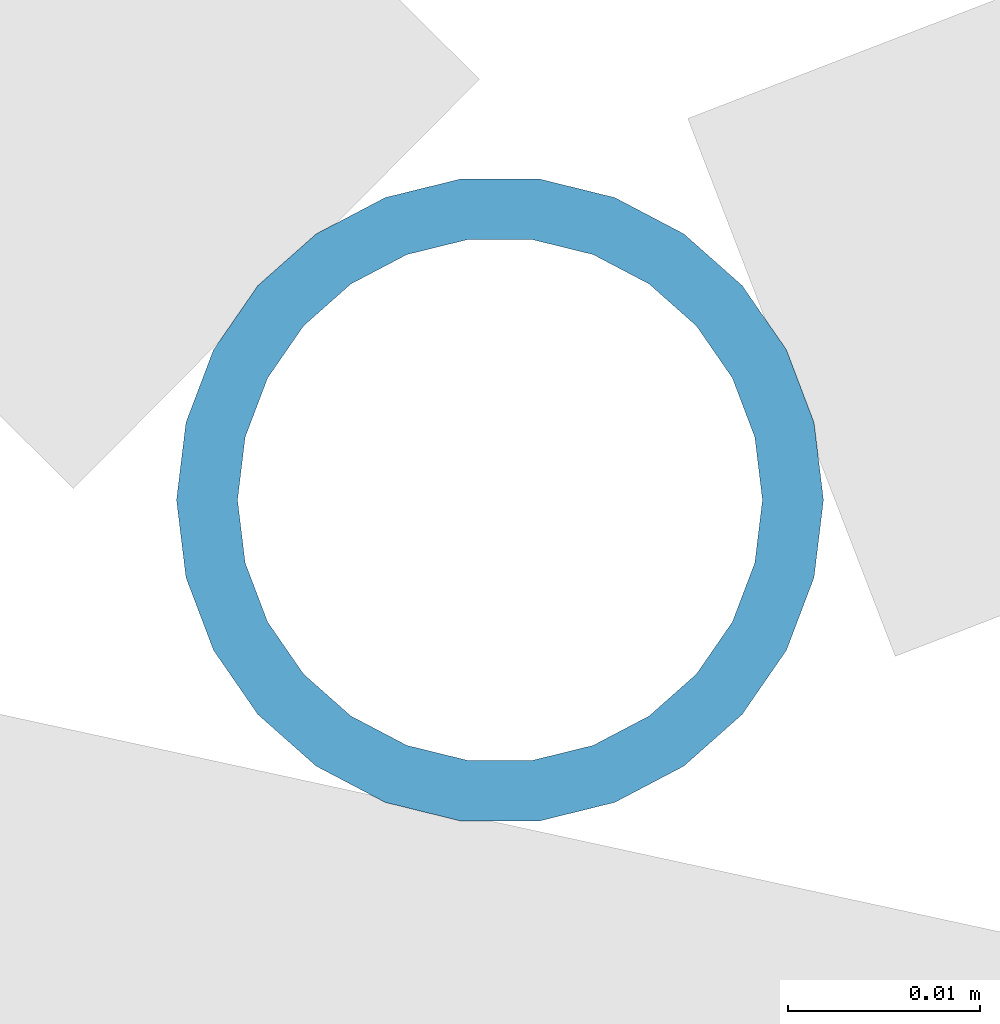
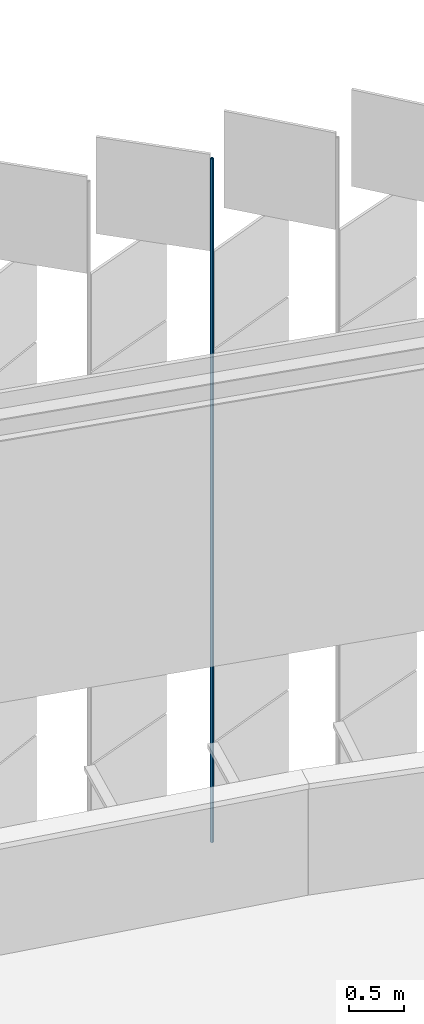
# One storey, part 403 of 483: 1 discrete accessory.
"""IFC4 building model written with IfcOpenShell, lengths in metres."""

import ifcopenshell
import ifcopenshell.guid

model = None  # the IFC model being written
_history = None  # IfcOwnerHistory: only IFC2X3 demands one
_inside = {}  # id of a spatial element -> (the spatial element, [elements in it])
_under = {}  # id of a project, library or spatial element -> (it, [spatial elements below it])
_declared = {}  # id of a project -> (the project, [libraries it declares])
_typed = {}  # id of a type object -> (the type object, [elements of that type])
_made_of = {}  # id of a material, layer set ... -> (it, [elements and type objects made of it])


def new_model(schema):
    """Start an empty IFC model of exactly this schema.

    Asked for "IFC4X3", IfcOpenShell would pick the latest addendum, in which some entities
    have other attributes; the version numbers below select the first issue.
    IFC2X3 requires an IfcOwnerHistory on every rooted entity: one is made here for all.
    """
    global model, _history
    if schema == "IFC4X3":
        model = ifcopenshell.file(schema_version=(4, 3, 0, 0))
    else:
        model = ifcopenshell.file(schema=schema)
    _inside.clear()
    _under.clear()
    _declared.clear()
    _typed.clear()
    _made_of.clear()
    _history = None
    if model.schema == "IFC2X3":
        org = make("IfcOrganization", Name="unknown")
        user = make(
            "IfcPersonAndOrganization",
            ThePerson=make("IfcPerson", FamilyName="unknown"),
            TheOrganization=org,
        )
        app = make(
            "IfcApplication",
            ApplicationDeveloper=org,
            Version="unknown",
            ApplicationFullName="unknown",
            ApplicationIdentifier="unknown",
        )
        _history = make(
            "IfcOwnerHistory",
            OwningUser=user,
            OwningApplication=app,
            ChangeAction="ADDED",
            CreationDate=0,
        )
    return model


def make(cls, **values):
    """One entity of the class cls with the attributes given. An attribute that is None is left unset."""
    return model.create_entity(
        cls, **{name: value for name, value in values.items() if value is not None}
    )


def rooted(cls, **values):
    """An entity with a GlobalId (a new one), such as an element, a storey or a relation."""
    return make(cls, GlobalId=ifcopenshell.guid.new(), OwnerHistory=_history, **values)


def si_unit(unit_type, name, prefix=None):
    """IfcSIUnit, for example si_unit("LENGTHUNIT", "METRE", prefix="MILLI")."""
    return make("IfcSIUnit", UnitType=unit_type, Prefix=prefix, Name=name)


def assignment(units):
    """IfcUnitAssignment: the units of a project."""
    return None if units is None else make("IfcUnitAssignment", Units=units)


def point(xyz):
    """IfcCartesianPoint."""
    return None if xyz is None else make("IfcCartesianPoint", Coordinates=xyz)


def direction(xyz):
    """IfcDirection."""
    return None if xyz is None else make("IfcDirection", DirectionRatios=xyz)


def frame(location, z_axis=None, x_axis=None):
    """IfcAxis2Placement3D, a coordinate frame: its origin and axes. An axis left out is left unset."""
    return make(
        "IfcAxis2Placement3D",
        Location=point(location),
        Axis=direction(z_axis),
        RefDirection=direction(x_axis),
    )


def frame_2d(location, x_axis=None):
    """IfcAxis2Placement2D, a coordinate frame in the plane: its origin and x axis."""
    return make(
        "IfcAxis2Placement2D", Location=point(location), RefDirection=direction(x_axis)
    )


def origin():
    """The frame at (0, 0, 0) with its axes left unset."""
    return frame((0.0, 0.0, 0.0))


def origin_2d():
    """The frame at (0, 0) in the plane with its x axis left unset."""
    return frame_2d((0.0, 0.0))


def place(relative_to, where):
    """IfcLocalPlacement: puts the frame where relative to a parent placement (None: the world)."""
    return make(
        "IfcLocalPlacement", PlacementRelTo=relative_to, RelativePlacement=where
    )


def context(
    kind, dimensions, precision=None, world=None, true_north=None, identifier=None
):
    """IfcGeometricRepresentationContext, for example the 3D "Model" context."""
    return make(
        "IfcGeometricRepresentationContext",
        ContextIdentifier=identifier,
        ContextType=kind,
        CoordinateSpaceDimension=dimensions,
        Precision=precision,
        WorldCoordinateSystem=world,
        TrueNorth=true_north,
    )


def subcontext(parent, identifier, kind, view, scale=None):
    """IfcGeometricRepresentationSubContext, for example "Body" below "Model"."""
    return make(
        "IfcGeometricRepresentationSubContext",
        ContextIdentifier=identifier,
        ContextType=kind,
        ParentContext=parent,
        TargetScale=scale,
        TargetView=view,
    )


def project(units=None, contexts=None):
    """IfcProject with its units and contexts."""
    return rooted(
        "IfcProject",
        Name="project",
        RepresentationContexts=contexts,
        UnitsInContext=assignment(units),
    )


def spatial(cls, under=None, at=None, **own):
    """A site, building, storey or space (cls), placed at a placement, below another one or the project."""
    s = rooted(cls, ObjectPlacement=at, **own)
    if under is not None:
        _under.setdefault(under.id(), (under, []))[1].append(s)
    return s


def profile(cls, at=None, kind="AREA", **sizes):
    """A parametric profile (cls). Its sizes go by their IFC names, for example OverallWidth=200.0."""
    return make(cls, ProfileType=kind, Position=at, **sizes)


def hollow_circle(**sizes):
    """IfcCircleHollowProfileDef."""
    return profile("IfcCircleHollowProfileDef", **sizes)


def extrude(swept, where, along, depth):
    """IfcExtrudedAreaSolid: the profile swept, set in the frame where, extruded along a direction by depth."""
    return make(
        "IfcExtrudedAreaSolid",
        SweptArea=swept,
        Position=where,
        ExtrudedDirection=direction(along),
        Depth=depth,
    )


def shape(context_of_items, identifier, shape_type, items):
    """IfcShapeRepresentation: the items that make up one representation, for example the "Body"."""
    return make(
        "IfcShapeRepresentation",
        ContextOfItems=context_of_items,
        RepresentationIdentifier=identifier,
        RepresentationType=shape_type,
        Items=items,
    )


def material(Name=None, Category=None):
    """IfcMaterial."""
    return make("IfcMaterial", Name=Name, Category=Category)


def material_profile(
    of_material, cross_section, Name=None, Category=None, Priority=None
):
    """IfcMaterialProfile: a cross section and its material."""
    return make(
        "IfcMaterialProfile",
        Name=Name,
        Material=of_material,
        Profile=cross_section,
        Priority=Priority,
        Category=Category,
    )


def profile_set(profiles, Name=None, composite=None):
    """IfcMaterialProfileSet."""
    return make(
        "IfcMaterialProfileSet",
        Name=Name,
        MaterialProfiles=profiles,
        CompositeProfile=composite,
    )


def made_of(thing, what):
    """Note that an element or type object is made of a material, layer set ...; save() writes the relation."""
    if what is not None:
        _made_of.setdefault(what.id(), (what, []))[1].append(thing)
    return thing


def type_object(cls, material=None, **own):
    """A type object (cls), such as IfcWallType, which elements share."""
    return made_of(rooted(cls, **own), material)


def element(
    cls,
    number,
    at=None,
    inside=None,
    cuts=None,
    type_object=None,
    material=None,
    context=None,
    identifier="Body",
    shape_type=None,
    held_by="IfcProductDefinitionShape",
    body=None,
    shapes=None,
    **own,
):
    """One element of the class cls, such as IfcWall. Its Tag is "e" and its number.

    at: its placement. inside: the storey or other place that contains it. cuts: it is an
    opening in that element (IfcRelVoidsElement). A single representation is given by context,
    identifier, shape_type and body (its items); several are given by shapes. held_by: the class
    of the entity that holds the representations. save() writes the other relations.
    """
    e = rooted(cls, Tag="e%d" % number, ObjectPlacement=at, **own)
    if body is not None:
        shapes = [shape(context, identifier, shape_type, body)]
    if shapes is not None:
        e.Representation = make(held_by, Representations=shapes)
    if inside is not None:
        _inside.setdefault(inside.id(), (inside, []))[1].append(e)
    if cuts is not None:
        rooted(
            "IfcRelVoidsElement", RelatingBuildingElement=cuts, RelatedOpeningElement=e
        )
    if type_object is not None:
        _typed.setdefault(type_object.id(), (type_object, []))[1].append(e)
    return made_of(e, material)


def aggregate(whole, parts):
    """IfcRelAggregates: a whole, such as a stair, and the parts it consists of."""
    return rooted("IfcRelAggregates", RelatingObject=whole, RelatedObjects=parts)


def save(model, path):
    """Write the relations noted so far, then the file.

    IfcRelAggregates (storeys below a building ...), IfcRelContainedInSpatialStructure (elements
    in a storey), IfcRelDefinesByType, IfcRelAssociatesMaterial and IfcRelDeclares: one each for
    every whole, place, type object, material and project.
    """
    for whole, parts in _under.values():
        aggregate(whole, parts)
    for where, things in _inside.values():
        rooted(
            "IfcRelContainedInSpatialStructure",
            RelatedElements=things,
            RelatingStructure=where,
        )
    for kind, things in _typed.values():
        rooted("IfcRelDefinesByType", RelatedObjects=things, RelatingType=kind)
    for what, things in _made_of.values():
        rooted("IfcRelAssociatesMaterial", RelatedObjects=things, RelatingMaterial=what)
    for by, libraries in _declared.values():
        rooted("IfcRelDeclares", RelatingContext=by, RelatedDefinitions=libraries)
    model.write(path)


model = new_model("IFC4")

# Units and contexts
model_context = context("Model", 3, precision=1e-05, world=origin(), true_north=direction((0.0, 1.0)))
body_context = subcontext(model_context, "Body", "Model", "MODEL_VIEW")
ifc_project = project(units=[si_unit("LENGTHUNIT", "METRE"), si_unit("AREAUNIT", "SQUARE_METRE"), si_unit("VOLUMEUNIT", "CUBIC_METRE"), si_unit("PLANEANGLEUNIT", "RADIAN"), si_unit("MASSUNIT", "GRAM", prefix="KILO")], contexts=[model_context])

# Site, building, storey
site_placement = place(None, origin())
site = spatial("IfcSite", under=ifc_project, at=site_placement, CompositionType="ELEMENT")
building_placement = place(site_placement, origin())
building = spatial("IfcBuilding", under=site, at=building_placement, Name="Parallax Yard Mobility Hub", CompositionType="ELEMENT")
storey_placement = place(building_placement, frame((0.0, 0.0, 13.199951171875)))
storey = spatial("IfcBuildingStorey", under=building, at=storey_placement, Name="L04", CompositionType="ELEMENT", Elevation=13.199951171875)

# Discrete accessory
ifc_material = material(Name="Steel ASTM A500 Gr C, hot-dip galvanised", Category="steel")
ifc_material_profile = material_profile(ifc_material, hollow_circle(Radius=0.016845703125, WallThickness=0.003173828125, at=origin_2d()), Name="CHS 33.7x3.2")
ifc_profile_set = profile_set([ifc_material_profile], Name="Steel ASTM A500 Gr C, hot-dip galvanised")
discrete_accessory_type = type_object("IfcDiscreteAccessoryType", Name="Hinge post CHS 33.7x3.2", PredefinedType="BRACKET", material=ifc_profile_set)
discrete_accessory_placement = place(storey_placement, frame((184.360107421875, 141.985595703125, 0.0), z_axis=(0.0, 0.0, 1.0), x_axis=(1.0, 0.0, 0.0)))
element("IfcDiscreteAccessory", 1, at=discrete_accessory_placement, inside=storey, type_object=discrete_accessory_type, Name="Hinge post bay 49.5 level L04", PredefinedType="BRACKET", context=body_context, shape_type="SweptSolid", body=[
    extrude(hollow_circle(Radius=0.016845703125, WallThickness=0.003173828125, at=origin_2d()), origin(), (0.0, 0.0, 1.0), 7.650146484375),
])

save(model, "model.ifc")
